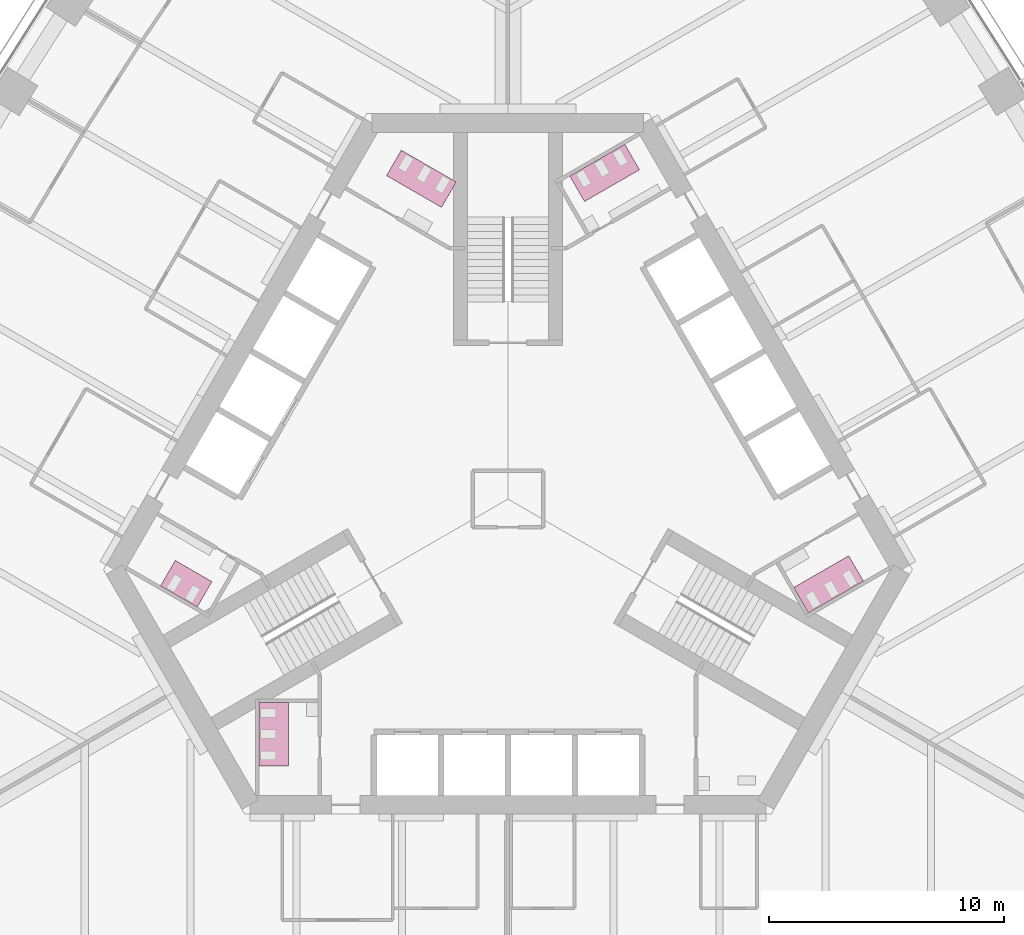
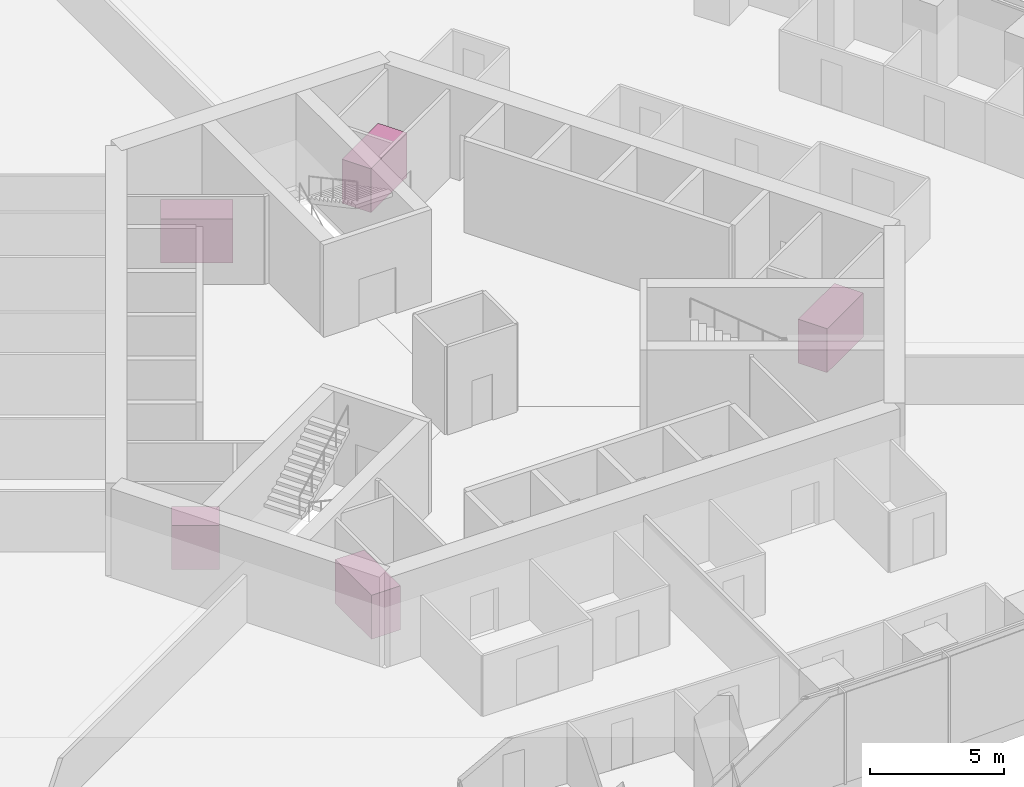
# One storey, part 18 of 18: 5 furniture elements.
"""IFC4 building model written with IfcOpenShell, lengths in metres."""

from ifc_helpers import new_model, si_unit, direction, frame, origin, place, context, subcontext, project, spatial, polyline, outline, extrude, material, type_object, element, save


model = new_model("IFC4")

# Units and contexts
model_context = context("Model", 3, precision=1e-05, world=origin(), true_north=direction((0.0, 1.0)))
body_context = subcontext(model_context, "Body", "Model", "MODEL_VIEW")
ifc_project = project(units=[si_unit("LENGTHUNIT", "METRE"), si_unit("AREAUNIT", "SQUARE_METRE"), si_unit("VOLUMEUNIT", "CUBIC_METRE"), si_unit("PLANEANGLEUNIT", "RADIAN"), si_unit("MASSUNIT", "GRAM", prefix="KILO")], contexts=[model_context])

# Site, building, storey
site_placement = place(None, origin())
site = spatial("IfcSite", under=ifc_project, at=site_placement, CompositionType="ELEMENT")
building_placement = place(site_placement, origin())
building = spatial("IfcBuilding", under=site, at=building_placement, Name="Trefoil Bronze Tower", CompositionType="ELEMENT")
storey_placement = place(building_placement, frame((0.0, 0.0, 29.10009765625)))
storey = spatial("IfcBuildingStorey", under=building, at=storey_placement, Name="L06", CompositionType="ELEMENT", Elevation=29.10009765625)

# Furniture
ifc_material_1 = material(Name="Compact laminate cubicles", Category="plastic")
furniture_type_1 = type_object("IfcFurnitureType", Name="WC cubicle range 2 cubicles", AssemblyPlace="FACTORY", PredefinedType="USERDEFINED", material=ifc_material_1)
furniture_1_placement = place(storey_placement, origin())
element("IfcFurniture", 1, at=furniture_1_placement, inside=storey, type_object=furniture_type_1, Name="WC cubicle range WC (men) L06", ObjectType="WC cubicle range", PredefinedType="USERDEFINED", context=body_context, shape_type="SweptSolid", body=[
    extrude(outline(polyline([(-12.591552734375, -3.50927734375), (-13.216552734375, -4.591796875), (-14.775390625, -3.69189453125), (-14.150390625, -2.609375), (-12.591552734375, -3.50927734375)])), origin(), (0.0, 0.0, 1.0), 2.0),
])
ifc_material_2 = material(Name="Compact laminate cubicles", Category="plastic")
furniture_type_2 = type_object("IfcFurnitureType", Name="WC cubicle range 3 cubicles", AssemblyPlace="FACTORY", PredefinedType="USERDEFINED", material=ifc_material_2)
furniture_2_placement = place(storey_placement, origin())
element("IfcFurniture", 2, at=furniture_2_placement, inside=storey, type_object=furniture_type_2, Name="WC cubicle range WC (women) L06", ObjectType="WC cubicle range", PredefinedType="USERDEFINED", context=body_context, shape_type="SweptSolid", body=[
    extrude(outline(polyline([(12.15869140625, -3.75927734375), (12.78369140625, -4.841796875), (15.121826171875, -3.491943359375), (14.496826171875, -2.409423828125), (12.15869140625, -3.75927734375)])), origin(), (0.0, 0.0, 1.0), 2.0),
])
furniture_3_placement = place(storey_placement, origin())
element("IfcFurniture", 3, at=furniture_3_placement, inside=storey, type_object=furniture_type_2, Name="WC cubicle range WC (men) L06", ObjectType="WC cubicle range", PredefinedType="USERDEFINED", context=body_context, shape_type="SweptSolid", body=[
    extrude(outline(polyline([(3.256591796875, 12.659423828125), (2.631591796875, 13.741943359375), (4.969970703125, 15.091796875), (5.594970703125, 14.00927734375), (3.256591796875, 12.659423828125)])), origin(), (0.0, 0.0, 1.0), 2.0),
])
furniture_4_placement = place(storey_placement, origin())
element("IfcFurniture", 4, at=furniture_4_placement, inside=storey, type_object=furniture_type_2, Name="WC cubicle range WC (women) L06", ObjectType="WC cubicle range", PredefinedType="USERDEFINED", context=body_context, shape_type="SweptSolid", body=[
    extrude(outline(polyline([(-2.82373046875, 12.409423828125), (-2.19873046875, 13.491943359375), (-4.536865234375, 14.841796875), (-5.161865234375, 13.75927734375), (-2.82373046875, 12.409423828125)])), origin(), (0.0, 0.0, 1.0), 2.0),
])
furniture_5_placement = place(storey_placement, origin())
element("IfcFurniture", 5, at=furniture_5_placement, inside=storey, type_object=furniture_type_2, Name="WC cubicle range WC (women) L06", ObjectType="WC cubicle range", PredefinedType="USERDEFINED", context=body_context, shape_type="SweptSolid", body=[
    extrude(outline(polyline([(-9.3349609375, -8.64990234375), (-10.5849609375, -8.64990234375), (-10.5849609375, -11.35009765625), (-9.3349609375, -11.35009765625), (-9.3349609375, -8.64990234375)])), origin(), (0.0, 0.0, 1.0), 2.0),
])

save(model, "model.ifc")
